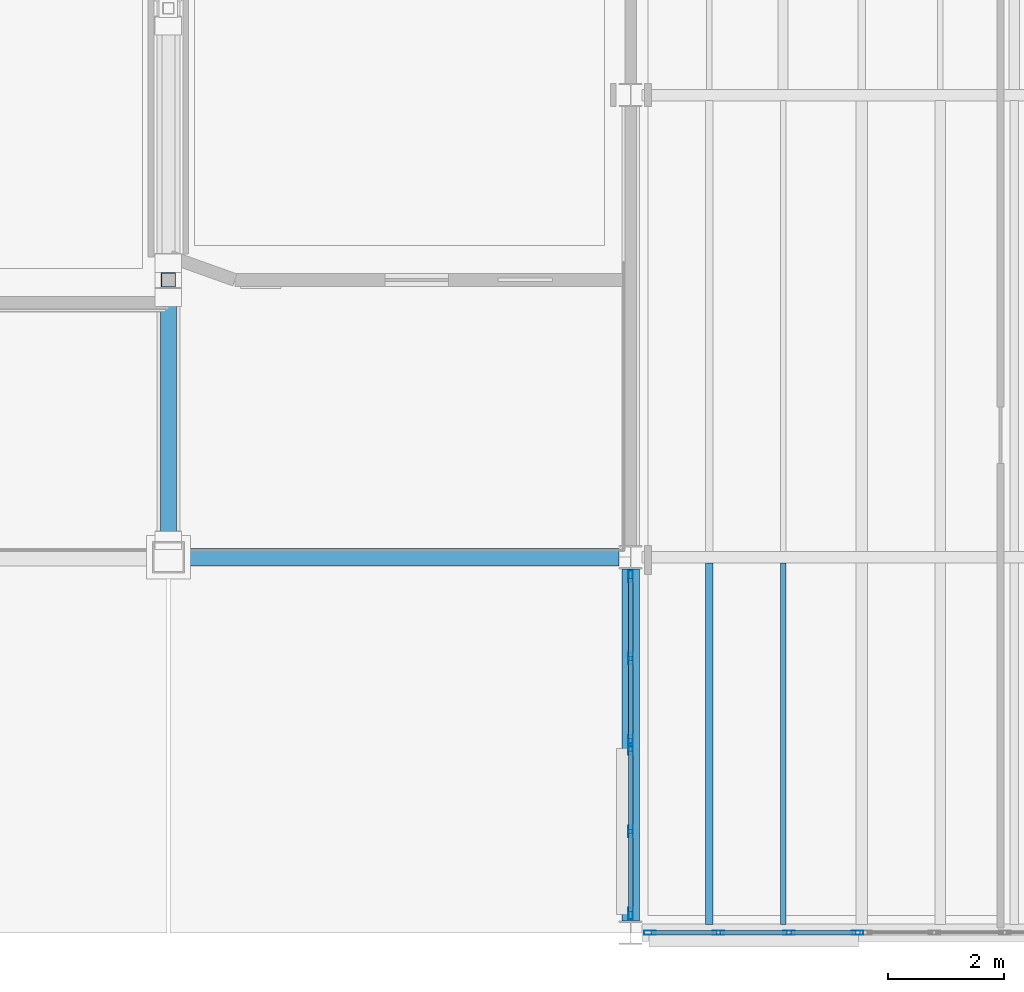
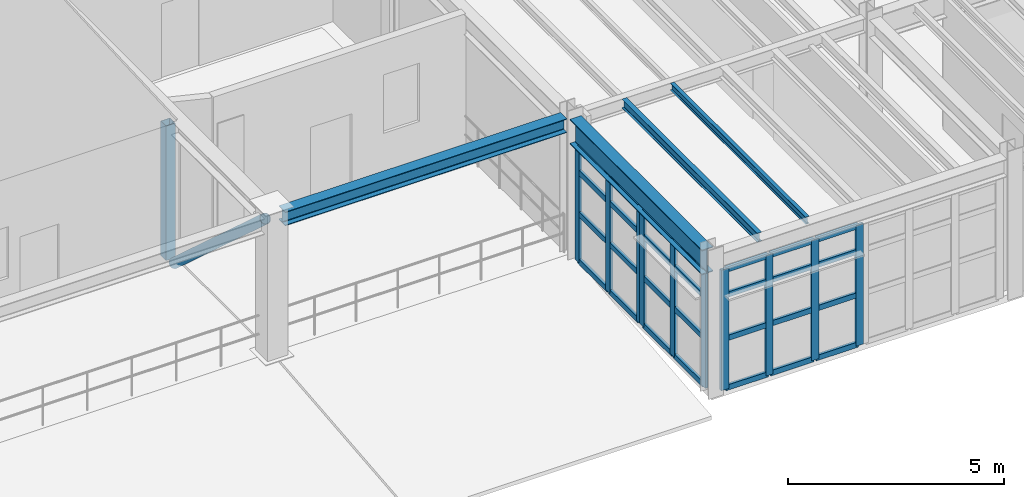
# One storey, part 33 of 78: 40 members, 4 beams, 3 elements without a shape of their own.
"""IFC4 building model written with IfcOpenShell, lengths in metres."""

import ifcopenshell
import ifcopenshell.guid

model = None  # the IFC model being written
_history = None  # IfcOwnerHistory: only IFC2X3 demands one
_inside = {}  # id of a spatial element -> (the spatial element, [elements in it])
_under = {}  # id of a project, library or spatial element -> (it, [spatial elements below it])
_declared = {}  # id of a project -> (the project, [libraries it declares])
_typed = {}  # id of a type object -> (the type object, [elements of that type])
_made_of = {}  # id of a material, layer set ... -> (it, [elements and type objects made of it])


def new_model(schema):
    """Start an empty IFC model of exactly this schema.

    Asked for "IFC4X3", IfcOpenShell would pick the latest addendum, in which some entities
    have other attributes; the version numbers below select the first issue.
    IFC2X3 requires an IfcOwnerHistory on every rooted entity: one is made here for all.
    """
    global model, _history
    if schema == "IFC4X3":
        model = ifcopenshell.file(schema_version=(4, 3, 0, 0))
    else:
        model = ifcopenshell.file(schema=schema)
    _inside.clear()
    _under.clear()
    _declared.clear()
    _typed.clear()
    _made_of.clear()
    _history = None
    if model.schema == "IFC2X3":
        org = make("IfcOrganization", Name="unknown")
        user = make(
            "IfcPersonAndOrganization",
            ThePerson=make("IfcPerson", FamilyName="unknown"),
            TheOrganization=org,
        )
        app = make(
            "IfcApplication",
            ApplicationDeveloper=org,
            Version="unknown",
            ApplicationFullName="unknown",
            ApplicationIdentifier="unknown",
        )
        _history = make(
            "IfcOwnerHistory",
            OwningUser=user,
            OwningApplication=app,
            ChangeAction="ADDED",
            CreationDate=0,
        )
    return model


def make(cls, **values):
    """One entity of the class cls with the attributes given. An attribute that is None is left unset."""
    return model.create_entity(
        cls, **{name: value for name, value in values.items() if value is not None}
    )


def rooted(cls, **values):
    """An entity with a GlobalId (a new one), such as an element, a storey or a relation."""
    return make(cls, GlobalId=ifcopenshell.guid.new(), OwnerHistory=_history, **values)


def si_unit(unit_type, name, prefix=None):
    """IfcSIUnit, for example si_unit("LENGTHUNIT", "METRE", prefix="MILLI")."""
    return make("IfcSIUnit", UnitType=unit_type, Prefix=prefix, Name=name)


def assignment(units):
    """IfcUnitAssignment: the units of a project."""
    return None if units is None else make("IfcUnitAssignment", Units=units)


def point(xyz):
    """IfcCartesianPoint."""
    return None if xyz is None else make("IfcCartesianPoint", Coordinates=xyz)


def direction(xyz):
    """IfcDirection."""
    return None if xyz is None else make("IfcDirection", DirectionRatios=xyz)


def frame(location, z_axis=None, x_axis=None):
    """IfcAxis2Placement3D, a coordinate frame: its origin and axes. An axis left out is left unset."""
    return make(
        "IfcAxis2Placement3D",
        Location=point(location),
        Axis=direction(z_axis),
        RefDirection=direction(x_axis),
    )


def frame_2d(location, x_axis=None):
    """IfcAxis2Placement2D, a coordinate frame in the plane: its origin and x axis."""
    return make(
        "IfcAxis2Placement2D", Location=point(location), RefDirection=direction(x_axis)
    )


def origin():
    """The frame at (0, 0, 0) with its axes left unset."""
    return frame((0.0, 0.0, 0.0))


def origin_2d():
    """The frame at (0, 0) in the plane with its x axis left unset."""
    return frame_2d((0.0, 0.0))


def place(relative_to, where):
    """IfcLocalPlacement: puts the frame where relative to a parent placement (None: the world)."""
    return make(
        "IfcLocalPlacement", PlacementRelTo=relative_to, RelativePlacement=where
    )


def context(
    kind, dimensions, precision=None, world=None, true_north=None, identifier=None
):
    """IfcGeometricRepresentationContext, for example the 3D "Model" context."""
    return make(
        "IfcGeometricRepresentationContext",
        ContextIdentifier=identifier,
        ContextType=kind,
        CoordinateSpaceDimension=dimensions,
        Precision=precision,
        WorldCoordinateSystem=world,
        TrueNorth=true_north,
    )


def subcontext(parent, identifier, kind, view, scale=None):
    """IfcGeometricRepresentationSubContext, for example "Body" below "Model"."""
    return make(
        "IfcGeometricRepresentationSubContext",
        ContextIdentifier=identifier,
        ContextType=kind,
        ParentContext=parent,
        TargetScale=scale,
        TargetView=view,
    )


def project(units=None, contexts=None):
    """IfcProject with its units and contexts."""
    return rooted(
        "IfcProject",
        Name="project",
        RepresentationContexts=contexts,
        UnitsInContext=assignment(units),
    )


def spatial(cls, under=None, at=None, **own):
    """A site, building, storey or space (cls), placed at a placement, below another one or the project."""
    s = rooted(cls, ObjectPlacement=at, **own)
    if under is not None:
        _under.setdefault(under.id(), (under, []))[1].append(s)
    return s


def profile(cls, at=None, kind="AREA", **sizes):
    """A parametric profile (cls). Its sizes go by their IFC names, for example OverallWidth=200.0."""
    return make(cls, ProfileType=kind, Position=at, **sizes)


def hollow_rectangle(**sizes):
    """IfcRectangleHollowProfileDef."""
    return profile("IfcRectangleHollowProfileDef", **sizes)


def hollow_circle(**sizes):
    """IfcCircleHollowProfileDef."""
    return profile("IfcCircleHollowProfileDef", **sizes)


def i_section(**sizes):
    """IfcIShapeProfileDef."""
    return profile("IfcIShapeProfileDef", **sizes)


def extrude(swept, where, along, depth):
    """IfcExtrudedAreaSolid: the profile swept, set in the frame where, extruded along a direction by depth."""
    return make(
        "IfcExtrudedAreaSolid",
        SweptArea=swept,
        Position=where,
        ExtrudedDirection=direction(along),
        Depth=depth,
    )


def shape(context_of_items, identifier, shape_type, items):
    """IfcShapeRepresentation: the items that make up one representation, for example the "Body"."""
    return make(
        "IfcShapeRepresentation",
        ContextOfItems=context_of_items,
        RepresentationIdentifier=identifier,
        RepresentationType=shape_type,
        Items=items,
    )


def material(Name=None, Category=None):
    """IfcMaterial."""
    return make("IfcMaterial", Name=Name, Category=Category)


def material_profile(
    of_material, cross_section, Name=None, Category=None, Priority=None
):
    """IfcMaterialProfile: a cross section and its material."""
    return make(
        "IfcMaterialProfile",
        Name=Name,
        Material=of_material,
        Profile=cross_section,
        Priority=Priority,
        Category=Category,
    )


def profile_set(profiles, Name=None, composite=None):
    """IfcMaterialProfileSet."""
    return make(
        "IfcMaterialProfileSet",
        Name=Name,
        MaterialProfiles=profiles,
        CompositeProfile=composite,
    )


def made_of(thing, what):
    """Note that an element or type object is made of a material, layer set ...; save() writes the relation."""
    if what is not None:
        _made_of.setdefault(what.id(), (what, []))[1].append(thing)
    return thing


def type_object(cls, material=None, **own):
    """A type object (cls), such as IfcWallType, which elements share."""
    return made_of(rooted(cls, **own), material)


def element(
    cls,
    number,
    at=None,
    inside=None,
    cuts=None,
    type_object=None,
    material=None,
    context=None,
    identifier="Body",
    shape_type=None,
    held_by="IfcProductDefinitionShape",
    body=None,
    shapes=None,
    **own,
):
    """One element of the class cls, such as IfcWall. Its Tag is "e" and its number.

    at: its placement. inside: the storey or other place that contains it. cuts: it is an
    opening in that element (IfcRelVoidsElement). A single representation is given by context,
    identifier, shape_type and body (its items); several are given by shapes. held_by: the class
    of the entity that holds the representations. save() writes the other relations.
    """
    e = rooted(cls, Tag="e%d" % number, ObjectPlacement=at, **own)
    if body is not None:
        shapes = [shape(context, identifier, shape_type, body)]
    if shapes is not None:
        e.Representation = make(held_by, Representations=shapes)
    if inside is not None:
        _inside.setdefault(inside.id(), (inside, []))[1].append(e)
    if cuts is not None:
        rooted(
            "IfcRelVoidsElement", RelatingBuildingElement=cuts, RelatedOpeningElement=e
        )
    if type_object is not None:
        _typed.setdefault(type_object.id(), (type_object, []))[1].append(e)
    return made_of(e, material)


def aggregate(whole, parts):
    """IfcRelAggregates: a whole, such as a stair, and the parts it consists of."""
    return rooted("IfcRelAggregates", RelatingObject=whole, RelatedObjects=parts)


def save(model, path):
    """Write the relations noted so far, then the file.

    IfcRelAggregates (storeys below a building ...), IfcRelContainedInSpatialStructure (elements
    in a storey), IfcRelDefinesByType, IfcRelAssociatesMaterial and IfcRelDeclares: one each for
    every whole, place, type object, material and project.
    """
    for whole, parts in _under.values():
        aggregate(whole, parts)
    for where, things in _inside.values():
        rooted(
            "IfcRelContainedInSpatialStructure",
            RelatedElements=things,
            RelatingStructure=where,
        )
    for kind, things in _typed.values():
        rooted("IfcRelDefinesByType", RelatedObjects=things, RelatingType=kind)
    for what, things in _made_of.values():
        rooted("IfcRelAssociatesMaterial", RelatedObjects=things, RelatingMaterial=what)
    for by, libraries in _declared.values():
        rooted("IfcRelDeclares", RelatingContext=by, RelatedDefinitions=libraries)
    model.write(path)


model = new_model("IFC4")

# Units and contexts
model_context = context("Model", 3, precision=1e-05, world=origin(), true_north=direction((0.0, 1.0)))
body_context = subcontext(model_context, "Body", "Model", "MODEL_VIEW")
ifc_project = project(units=[si_unit("LENGTHUNIT", "METRE"), si_unit("AREAUNIT", "SQUARE_METRE"), si_unit("VOLUMEUNIT", "CUBIC_METRE"), si_unit("PLANEANGLEUNIT", "RADIAN"), si_unit("MASSUNIT", "GRAM", prefix="KILO"), si_unit("THERMODYNAMICTEMPERATUREUNIT", "KELVIN"), si_unit("POWERUNIT", "WATT")], contexts=[model_context])

# Site, building, storey
site_placement = place(None, origin())
site = spatial("IfcSite", under=ifc_project, at=site_placement, CompositionType="ELEMENT")
building_placement = place(site_placement, origin())
building = spatial("IfcBuilding", under=site, at=building_placement, Name="Zhenchuan Central Fire Station", CompositionType="ELEMENT")
storey_placement = place(building_placement, frame((0.0, 0.0, 5.85009765625)))
storey = spatial("IfcBuildingStorey", under=building, at=storey_placement, Name="L02", CompositionType="ELEMENT", Elevation=5.85009765625)

# Beams
ifc_material_1 = material(Name="Steel Q355B", Category="steel")
ifc_material_profile_1 = material_profile(ifc_material_1, i_section(OverallWidth=0.300048828125, OverallDepth=0.389892578125, WebThickness=0.010009765625, FlangeThickness=0.01611328125, FilletRadius=0.02001953125, at=origin_2d()), Name="HM 390x300")
ifc_profile_set_1 = profile_set([ifc_material_profile_1], Name="Steel Q355B")
beam_type_1 = type_object("IfcBeamType", Name="BM-HM390-INT", PredefinedType="BEAM", material=ifc_profile_set_1)
beam_1_placement = place(storey_placement, frame((132.27490234375, 6.5, 3.764892578125), z_axis=(1.0, 0.0, 0.0), x_axis=(0.0, 1.0, 0.0)))
element("IfcBeam", 1, at=beam_1_placement, inside=storey, type_object=beam_type_1, Name="L03 Girder EW 0204", PredefinedType="BEAM", context=body_context, shape_type="SweptSolid", body=[
    extrude(i_section(OverallWidth=0.300048828125, OverallDepth=0.389892578125, WebThickness=0.010009765625, FlangeThickness=0.01611328125, FilletRadius=0.02001953125, at=origin_2d()), origin(), (0.0, 0.0, 1.0), 7.525146484375),
])
ifc_material_profile_2 = material_profile(ifc_material_1, i_section(OverallWidth=0.300048828125, OverallDepth=0.699951171875, WebThickness=0.012939453125, FlangeThickness=0.02392578125, FilletRadius=0.02392578125, at=origin_2d()), Name="HN 700x300")
ifc_profile_set_2 = profile_set([ifc_material_profile_2], Name="Steel Q355B")
beam_type_2 = type_object("IfcBeamType", Name="BM-HN700", PredefinedType="BEAM", material=ifc_profile_set_2)
beam_2_placement = place(storey_placement, frame((140.0, 0.199951171875, 3.60986328125), z_axis=(0.0, 1.0, 0.0), x_axis=(-1.0, 0.0, 0.0)))
element("IfcBeam", 2, at=beam_2_placement, inside=storey, type_object=beam_type_2, Name="L03 Girder NS 0318", PredefinedType="BEAM", context=body_context, shape_type="SweptSolid", body=[
    extrude(i_section(OverallWidth=0.300048828125, OverallDepth=0.699951171875, WebThickness=0.012939453125, FlangeThickness=0.02392578125, FilletRadius=0.02392578125, at=origin_2d()), origin(), (0.0, 0.0, 1.0), 6.10009765625),
])

# Curtain wall, members
ifc_material_2 = material(Name="Anodised aluminium and low-E glazing", Category="aluminium")
curtain_wall_type_1 = type_object("IfcCurtainWallType", Name="CW-MOD-03", PredefinedType="USERDEFINED", material=ifc_material_2)
curtain_wall_1_placement = place(storey_placement, origin())
curtain_wall_1 = element("IfcCurtainWall", 3, at=curtain_wall_1_placement, inside=storey, type_object=curtain_wall_type_1, Name="L02 Unitised Curtain Wall 084", ObjectType="UNITISED GLAZING", PredefinedType="USERDEFINED")
ifc_material_3 = material(Name="Anodised aluminium EN AW-6063", Category="aluminium")
ifc_material_profile_3 = material_profile(ifc_material_3, hollow_rectangle(XDim=0.074951171875, YDim=0.199951171875, WallThickness=0.0048828125, at=origin_2d()), Name="ALU-M 200x75")
ifc_profile_set_3 = profile_set([ifc_material_profile_3], Name="Anodised aluminium EN AW-6063")
member_type_1 = type_object("IfcMemberType", Name="CW-MUL160", PredefinedType="MULLION", material=ifc_profile_set_3)
member_1_placement = place(storey_placement, frame((140.33251953125, 0.0, -0.004150390625), z_axis=(0.0, 0.0, 1.0), x_axis=(0.0, 1.0, 0.0)))
member_1 = element("IfcMember", 4, at=member_1_placement, type_object=member_type_1, Name="CW-03 mullion 1", PredefinedType="MULLION", context=body_context, shape_type="SweptSolid", body=[
    extrude(hollow_rectangle(XDim=0.074951171875, YDim=0.199951171875, WallThickness=0.0048828125, at=origin_2d()), origin(), (0.0, 0.0, 1.0), 3.404052734375),
])
member_2_placement = place(storey_placement, frame((141.520751953125, 0.0, -0.004150390625), z_axis=(0.0, 0.0, 1.0), x_axis=(0.0, 1.0, 0.0)))
member_2 = element("IfcMember", 5, at=member_2_placement, type_object=member_type_1, Name="CW-03 mullion 2", PredefinedType="MULLION", context=body_context, shape_type="SweptSolid", body=[
    extrude(hollow_rectangle(XDim=0.074951171875, YDim=0.199951171875, WallThickness=0.0048828125, at=origin_2d()), origin(), (0.0, 0.0, 1.0), 3.404052734375),
])
member_3_placement = place(storey_placement, frame((142.741455078125, 0.0, -0.004150390625), z_axis=(0.0, 0.0, 1.0), x_axis=(0.0, 1.0, 0.0)))
member_3 = element("IfcMember", 6, at=member_3_placement, type_object=member_type_1, Name="CW-03 mullion 3", PredefinedType="MULLION", context=body_context, shape_type="SweptSolid", body=[
    extrude(hollow_rectangle(XDim=0.074951171875, YDim=0.199951171875, WallThickness=0.0048828125, at=origin_2d()), origin(), (0.0, 0.0, 1.0), 3.404052734375),
])
member_4_placement = place(storey_placement, frame((143.929443359375, 0.0, -0.004150390625), z_axis=(0.0, 0.0, 1.0), x_axis=(0.0, 1.0, 0.0)))
member_4 = element("IfcMember", 7, at=member_4_placement, type_object=member_type_1, Name="CW-03 mullion 4", PredefinedType="MULLION", context=body_context, shape_type="SweptSolid", body=[
    extrude(hollow_rectangle(XDim=0.074951171875, YDim=0.199951171875, WallThickness=0.0048828125, at=origin_2d()), origin(), (0.0, 0.0, 1.0), 3.404052734375),
])

curtain_wall_type_2 = type_object("IfcCurtainWallType", Name="CW-MOD-10", PredefinedType="USERDEFINED", material=ifc_material_2)
curtain_wall_2_placement = place(storey_placement, origin())
curtain_wall_2 = element("IfcCurtainWall", 8, at=curtain_wall_2_placement, inside=storey, type_object=curtain_wall_type_2, Name="L02 Unitised Curtain Wall 096", ObjectType="UNITISED GLAZING", PredefinedType="USERDEFINED")
member_5_placement = place(storey_placement, frame((140.0, 0.33251953125, -0.004150390625), z_axis=(0.0, 0.0, 1.0), x_axis=(-1.0, 0.0, 0.0)))
member_5 = element("IfcMember", 9, at=member_5_placement, type_object=member_type_1, Name="CW-10 mullion 1", PredefinedType="MULLION", context=body_context, shape_type="SweptSolid", body=[
    extrude(hollow_rectangle(XDim=0.074951171875, YDim=0.199951171875, WallThickness=0.0048828125, at=origin_2d()), origin(), (0.0, 0.0, 1.0), 3.258056640625),
])
member_6_placement = place(storey_placement, frame((140.0, 1.756103515625, -0.004150390625), z_axis=(0.0, 0.0, 1.0), x_axis=(-1.0, 0.0, 0.0)))
member_6 = element("IfcMember", 10, at=member_6_placement, type_object=member_type_1, Name="CW-10 mullion 2", PredefinedType="MULLION", context=body_context, shape_type="SweptSolid", body=[
    extrude(hollow_rectangle(XDim=0.074951171875, YDim=0.199951171875, WallThickness=0.0048828125, at=origin_2d()), origin(), (0.0, 0.0, 1.0), 3.258056640625),
])
member_7_placement = place(storey_placement, frame((140.0, 3.179443359375, -0.004150390625), z_axis=(0.0, 0.0, 1.0), x_axis=(-1.0, 0.0, 0.0)))
member_7 = element("IfcMember", 11, at=member_7_placement, type_object=member_type_1, Name="CW-10 mullion 3", PredefinedType="MULLION", context=body_context, shape_type="SweptSolid", body=[
    extrude(hollow_rectangle(XDim=0.074951171875, YDim=0.199951171875, WallThickness=0.0048828125, at=origin_2d()), origin(), (0.0, 0.0, 1.0), 3.258056640625),
])

curtain_wall_type_3 = type_object("IfcCurtainWallType", Name="CW-MOD-11", PredefinedType="USERDEFINED", material=ifc_material_2)
curtain_wall_3_placement = place(storey_placement, origin())
curtain_wall_3 = element("IfcCurtainWall", 12, at=curtain_wall_3_placement, inside=storey, type_object=curtain_wall_type_3, Name="L02 Unitised Curtain Wall 097", ObjectType="UNITISED GLAZING", PredefinedType="USERDEFINED")
member_8_placement = place(storey_placement, frame((140.0, 3.320556640625, -0.004150390625), z_axis=(0.0, 0.0, 1.0), x_axis=(-1.0, 0.0, 0.0)))
member_8 = element("IfcMember", 13, at=member_8_placement, type_object=member_type_1, Name="CW-11 mullion 1", PredefinedType="MULLION", context=body_context, shape_type="SweptSolid", body=[
    extrude(hollow_rectangle(XDim=0.074951171875, YDim=0.199951171875, WallThickness=0.0048828125, at=origin_2d()), origin(), (0.0, 0.0, 1.0), 3.258056640625),
])
member_9_placement = place(storey_placement, frame((140.0, 4.743896484375, -0.004150390625), z_axis=(0.0, 0.0, 1.0), x_axis=(-1.0, 0.0, 0.0)))
member_9 = element("IfcMember", 14, at=member_9_placement, type_object=member_type_1, Name="CW-11 mullion 2", PredefinedType="MULLION", context=body_context, shape_type="SweptSolid", body=[
    extrude(hollow_rectangle(XDim=0.074951171875, YDim=0.199951171875, WallThickness=0.0048828125, at=origin_2d()), origin(), (0.0, 0.0, 1.0), 3.258056640625),
])
member_10_placement = place(storey_placement, frame((140.0, 6.16748046875, -0.004150390625), z_axis=(0.0, 0.0, 1.0), x_axis=(-1.0, 0.0, 0.0)))
member_10 = element("IfcMember", 15, at=member_10_placement, type_object=member_type_1, Name="CW-11 mullion 3", PredefinedType="MULLION", context=body_context, shape_type="SweptSolid", body=[
    extrude(hollow_rectangle(XDim=0.074951171875, YDim=0.199951171875, WallThickness=0.0048828125, at=origin_2d()), origin(), (0.0, 0.0, 1.0), 3.258056640625),
])

# Member
ifc_material_profile_4 = material_profile(ifc_material_3, hollow_rectangle(XDim=0.074951171875, YDim=0.14990234375, WallThickness=0.0048828125, at=origin_2d()), Name="ALU-T 150x75")
ifc_profile_set_4 = profile_set([ifc_material_profile_4], Name="Anodised aluminium EN AW-6063")
member_type_2 = type_object("IfcMemberType", Name="CW-TRN130", PredefinedType="NOTDEFINED", material=ifc_profile_set_4)
member_11_placement = place(storey_placement, frame((140.364990234375, 0.0, 0.0283203125), z_axis=(1.0, 0.0, 0.0), x_axis=(0.0, 1.0, 0.0)))
member_11 = element("IfcMember", 16, at=member_11_placement, type_object=member_type_2, Name="CW-03 transom 1.1", ObjectType="TRANSOM", PredefinedType="USERDEFINED", context=body_context, shape_type="SweptSolid", body=[
    extrude(hollow_rectangle(XDim=0.074951171875, YDim=0.14990234375, WallThickness=0.0048828125, at=origin_2d()), origin(), (0.0, 0.0, 1.0), 1.123291015625),
])

member_12_placement = place(storey_placement, frame((140.364990234375, 0.0, 1.427978515625), z_axis=(1.0, 0.0, 0.0), x_axis=(0.0, 1.0, 0.0)))
member_12 = element("IfcMember", 17, at=member_12_placement, type_object=member_type_2, Name="CW-03 transom 1.2", ObjectType="TRANSOM", PredefinedType="USERDEFINED", context=body_context, shape_type="SweptSolid", body=[
    extrude(hollow_rectangle(XDim=0.074951171875, YDim=0.14990234375, WallThickness=0.0048828125, at=origin_2d()), origin(), (0.0, 0.0, 1.0), 1.123291015625),
])

member_13_placement = place(storey_placement, frame((140.364990234375, 0.0, 2.65185546875), z_axis=(1.0, 0.0, 0.0), x_axis=(0.0, 1.0, 0.0)))
member_13 = element("IfcMember", 18, at=member_13_placement, type_object=member_type_2, Name="CW-03 transom 1.3", ObjectType="TRANSOM", PredefinedType="USERDEFINED", context=body_context, shape_type="SweptSolid", body=[
    extrude(hollow_rectangle(XDim=0.074951171875, YDim=0.14990234375, WallThickness=0.0048828125, at=origin_2d()), origin(), (0.0, 0.0, 1.0), 1.123291015625),
])

member_14_placement = place(storey_placement, frame((140.364990234375, 0.0, 3.367431640625), z_axis=(1.0, 0.0, 0.0), x_axis=(0.0, 1.0, 0.0)))
member_14 = element("IfcMember", 19, at=member_14_placement, type_object=member_type_2, Name="CW-03 transom 1.4", ObjectType="TRANSOM", PredefinedType="USERDEFINED", context=body_context, shape_type="SweptSolid", body=[
    extrude(hollow_rectangle(XDim=0.074951171875, YDim=0.14990234375, WallThickness=0.0048828125, at=origin_2d()), origin(), (0.0, 0.0, 1.0), 1.123291015625),
])

member_15_placement = place(storey_placement, frame((141.55322265625, 0.0, 0.0283203125), z_axis=(1.0, 0.0, 0.0), x_axis=(0.0, 1.0, 0.0)))
member_15 = element("IfcMember", 20, at=member_15_placement, type_object=member_type_2, Name="CW-03 transom 2.1", ObjectType="TRANSOM", PredefinedType="USERDEFINED", context=body_context, shape_type="SweptSolid", body=[
    extrude(hollow_rectangle(XDim=0.074951171875, YDim=0.14990234375, WallThickness=0.0048828125, at=origin_2d()), origin(), (0.0, 0.0, 1.0), 1.155517578125),
])

member_16_placement = place(storey_placement, frame((141.55322265625, 0.0, 1.427978515625), z_axis=(1.0, 0.0, 0.0), x_axis=(0.0, 1.0, 0.0)))
member_16 = element("IfcMember", 21, at=member_16_placement, type_object=member_type_2, Name="CW-03 transom 2.2", ObjectType="TRANSOM", PredefinedType="USERDEFINED", context=body_context, shape_type="SweptSolid", body=[
    extrude(hollow_rectangle(XDim=0.074951171875, YDim=0.14990234375, WallThickness=0.0048828125, at=origin_2d()), origin(), (0.0, 0.0, 1.0), 1.155517578125),
])

member_17_placement = place(storey_placement, frame((141.55322265625, 0.0, 2.65185546875), z_axis=(1.0, 0.0, 0.0), x_axis=(0.0, 1.0, 0.0)))
member_17 = element("IfcMember", 22, at=member_17_placement, type_object=member_type_2, Name="CW-03 transom 2.3", ObjectType="TRANSOM", PredefinedType="USERDEFINED", context=body_context, shape_type="SweptSolid", body=[
    extrude(hollow_rectangle(XDim=0.074951171875, YDim=0.14990234375, WallThickness=0.0048828125, at=origin_2d()), origin(), (0.0, 0.0, 1.0), 1.155517578125),
])

member_18_placement = place(storey_placement, frame((141.55322265625, 0.0, 3.367431640625), z_axis=(1.0, 0.0, 0.0), x_axis=(0.0, 1.0, 0.0)))
member_18 = element("IfcMember", 23, at=member_18_placement, type_object=member_type_2, Name="CW-03 transom 2.4", ObjectType="TRANSOM", PredefinedType="USERDEFINED", context=body_context, shape_type="SweptSolid", body=[
    extrude(hollow_rectangle(XDim=0.074951171875, YDim=0.14990234375, WallThickness=0.0048828125, at=origin_2d()), origin(), (0.0, 0.0, 1.0), 1.155517578125),
])

member_19_placement = place(storey_placement, frame((142.77392578125, 0.0, 0.0283203125), z_axis=(1.0, 0.0, 0.0), x_axis=(0.0, 1.0, 0.0)))
member_19 = element("IfcMember", 24, at=member_19_placement, type_object=member_type_2, Name="CW-03 transom 3.1", ObjectType="TRANSOM", PredefinedType="USERDEFINED", context=body_context, shape_type="SweptSolid", body=[
    extrude(hollow_rectangle(XDim=0.074951171875, YDim=0.14990234375, WallThickness=0.0048828125, at=origin_2d()), origin(), (0.0, 0.0, 1.0), 1.123046875),
])

member_20_placement = place(storey_placement, frame((142.77392578125, 0.0, 1.427978515625), z_axis=(1.0, 0.0, 0.0), x_axis=(0.0, 1.0, 0.0)))
member_20 = element("IfcMember", 25, at=member_20_placement, type_object=member_type_2, Name="CW-03 transom 3.2", ObjectType="TRANSOM", PredefinedType="USERDEFINED", context=body_context, shape_type="SweptSolid", body=[
    extrude(hollow_rectangle(XDim=0.074951171875, YDim=0.14990234375, WallThickness=0.0048828125, at=origin_2d()), origin(), (0.0, 0.0, 1.0), 1.123046875),
])

member_21_placement = place(storey_placement, frame((142.77392578125, 0.0, 2.65185546875), z_axis=(1.0, 0.0, 0.0), x_axis=(0.0, 1.0, 0.0)))
member_21 = element("IfcMember", 26, at=member_21_placement, type_object=member_type_2, Name="CW-03 transom 3.3", ObjectType="TRANSOM", PredefinedType="USERDEFINED", context=body_context, shape_type="SweptSolid", body=[
    extrude(hollow_rectangle(XDim=0.074951171875, YDim=0.14990234375, WallThickness=0.0048828125, at=origin_2d()), origin(), (0.0, 0.0, 1.0), 1.123046875),
])

member_22_placement = place(storey_placement, frame((142.77392578125, 0.0, 3.367431640625), z_axis=(1.0, 0.0, 0.0), x_axis=(0.0, 1.0, 0.0)))
member_22 = element("IfcMember", 27, at=member_22_placement, type_object=member_type_2, Name="CW-03 transom 3.4", ObjectType="TRANSOM", PredefinedType="USERDEFINED", context=body_context, shape_type="SweptSolid", body=[
    extrude(hollow_rectangle(XDim=0.074951171875, YDim=0.14990234375, WallThickness=0.0048828125, at=origin_2d()), origin(), (0.0, 0.0, 1.0), 1.123046875),
])

aggregate(curtain_wall_1, [member_1, member_2, member_3, member_4, member_11, member_12, member_13, member_14, member_15, member_16, member_17, member_18, member_19, member_20, member_21, member_22])

member_23_placement = place(storey_placement, frame((140.0, 0.364990234375, 0.0283203125), z_axis=(0.0, 1.0, 0.0), x_axis=(-1.0, 0.0, 0.0)))
member_23 = element("IfcMember", 28, at=member_23_placement, type_object=member_type_2, Name="CW-10 transom 1.1", ObjectType="TRANSOM", PredefinedType="USERDEFINED", context=body_context, shape_type="SweptSolid", body=[
    extrude(hollow_rectangle(XDim=0.074951171875, YDim=0.14990234375, WallThickness=0.0048828125, at=origin_2d()), origin(), (0.0, 0.0, 1.0), 1.3583984375),
])

member_24_placement = place(storey_placement, frame((140.0, 0.364990234375, 1.36669921875), z_axis=(0.0, 1.0, 0.0), x_axis=(-1.0, 0.0, 0.0)))
member_24 = element("IfcMember", 29, at=member_24_placement, type_object=member_type_2, Name="CW-10 transom 1.2", ObjectType="TRANSOM", PredefinedType="USERDEFINED", context=body_context, shape_type="SweptSolid", body=[
    extrude(hollow_rectangle(XDim=0.074951171875, YDim=0.14990234375, WallThickness=0.0048828125, at=origin_2d()), origin(), (0.0, 0.0, 1.0), 1.3583984375),
])

member_25_placement = place(storey_placement, frame((140.0, 0.364990234375, 2.5380859375), z_axis=(0.0, 1.0, 0.0), x_axis=(-1.0, 0.0, 0.0)))
member_25 = element("IfcMember", 30, at=member_25_placement, type_object=member_type_2, Name="CW-10 transom 1.3", ObjectType="TRANSOM", PredefinedType="USERDEFINED", context=body_context, shape_type="SweptSolid", body=[
    extrude(hollow_rectangle(XDim=0.074951171875, YDim=0.14990234375, WallThickness=0.0048828125, at=origin_2d()), origin(), (0.0, 0.0, 1.0), 1.3583984375),
])

member_26_placement = place(storey_placement, frame((140.0, 0.364990234375, 3.221435546875), z_axis=(0.0, 1.0, 0.0), x_axis=(-1.0, 0.0, 0.0)))
member_26 = element("IfcMember", 31, at=member_26_placement, type_object=member_type_2, Name="CW-10 transom 1.4", ObjectType="TRANSOM", PredefinedType="USERDEFINED", context=body_context, shape_type="SweptSolid", body=[
    extrude(hollow_rectangle(XDim=0.074951171875, YDim=0.14990234375, WallThickness=0.0048828125, at=origin_2d()), origin(), (0.0, 0.0, 1.0), 1.3583984375),
])

member_27_placement = place(storey_placement, frame((140.0, 1.78857421875, 0.0283203125), z_axis=(0.0, 1.0, 0.0), x_axis=(-1.0, 0.0, 0.0)))
member_27 = element("IfcMember", 32, at=member_27_placement, type_object=member_type_2, Name="CW-10 transom 2.1", ObjectType="TRANSOM", PredefinedType="USERDEFINED", context=body_context, shape_type="SweptSolid", body=[
    extrude(hollow_rectangle(XDim=0.074951171875, YDim=0.14990234375, WallThickness=0.0048828125, at=origin_2d()), origin(), (0.0, 0.0, 1.0), 1.3583984375),
])

member_28_placement = place(storey_placement, frame((140.0, 1.78857421875, 1.36669921875), z_axis=(0.0, 1.0, 0.0), x_axis=(-1.0, 0.0, 0.0)))
member_28 = element("IfcMember", 33, at=member_28_placement, type_object=member_type_2, Name="CW-10 transom 2.2", ObjectType="TRANSOM", PredefinedType="USERDEFINED", context=body_context, shape_type="SweptSolid", body=[
    extrude(hollow_rectangle(XDim=0.074951171875, YDim=0.14990234375, WallThickness=0.0048828125, at=origin_2d()), origin(), (0.0, 0.0, 1.0), 1.3583984375),
])

member_29_placement = place(storey_placement, frame((140.0, 1.78857421875, 2.5380859375), z_axis=(0.0, 1.0, 0.0), x_axis=(-1.0, 0.0, 0.0)))
member_29 = element("IfcMember", 34, at=member_29_placement, type_object=member_type_2, Name="CW-10 transom 2.3", ObjectType="TRANSOM", PredefinedType="USERDEFINED", context=body_context, shape_type="SweptSolid", body=[
    extrude(hollow_rectangle(XDim=0.074951171875, YDim=0.14990234375, WallThickness=0.0048828125, at=origin_2d()), origin(), (0.0, 0.0, 1.0), 1.3583984375),
])

member_30_placement = place(storey_placement, frame((140.0, 1.78857421875, 3.221435546875), z_axis=(0.0, 1.0, 0.0), x_axis=(-1.0, 0.0, 0.0)))
member_30 = element("IfcMember", 35, at=member_30_placement, type_object=member_type_2, Name="CW-10 transom 2.4", ObjectType="TRANSOM", PredefinedType="USERDEFINED", context=body_context, shape_type="SweptSolid", body=[
    extrude(hollow_rectangle(XDim=0.074951171875, YDim=0.14990234375, WallThickness=0.0048828125, at=origin_2d()), origin(), (0.0, 0.0, 1.0), 1.3583984375),
])

aggregate(curtain_wall_2, [member_5, member_6, member_7, member_23, member_24, member_25, member_26, member_27, member_28, member_29, member_30])

member_31_placement = place(storey_placement, frame((140.0, 3.35302734375, 0.0283203125), z_axis=(0.0, 1.0, 0.0), x_axis=(-1.0, 0.0, 0.0)))
member_31 = element("IfcMember", 36, at=member_31_placement, type_object=member_type_2, Name="CW-11 transom 1.1", ObjectType="TRANSOM", PredefinedType="USERDEFINED", context=body_context, shape_type="SweptSolid", body=[
    extrude(hollow_rectangle(XDim=0.074951171875, YDim=0.14990234375, WallThickness=0.0048828125, at=origin_2d()), origin(), (0.0, 0.0, 1.0), 1.3583984375),
])

member_32_placement = place(storey_placement, frame((140.0, 3.35302734375, 1.36669921875), z_axis=(0.0, 1.0, 0.0), x_axis=(-1.0, 0.0, 0.0)))
member_32 = element("IfcMember", 37, at=member_32_placement, type_object=member_type_2, Name="CW-11 transom 1.2", ObjectType="TRANSOM", PredefinedType="USERDEFINED", context=body_context, shape_type="SweptSolid", body=[
    extrude(hollow_rectangle(XDim=0.074951171875, YDim=0.14990234375, WallThickness=0.0048828125, at=origin_2d()), origin(), (0.0, 0.0, 1.0), 1.3583984375),
])

member_33_placement = place(storey_placement, frame((140.0, 3.35302734375, 2.5380859375), z_axis=(0.0, 1.0, 0.0), x_axis=(-1.0, 0.0, 0.0)))
member_33 = element("IfcMember", 38, at=member_33_placement, type_object=member_type_2, Name="CW-11 transom 1.3", ObjectType="TRANSOM", PredefinedType="USERDEFINED", context=body_context, shape_type="SweptSolid", body=[
    extrude(hollow_rectangle(XDim=0.074951171875, YDim=0.14990234375, WallThickness=0.0048828125, at=origin_2d()), origin(), (0.0, 0.0, 1.0), 1.3583984375),
])

member_34_placement = place(storey_placement, frame((140.0, 3.35302734375, 3.221435546875), z_axis=(0.0, 1.0, 0.0), x_axis=(-1.0, 0.0, 0.0)))
member_34 = element("IfcMember", 39, at=member_34_placement, type_object=member_type_2, Name="CW-11 transom 1.4", ObjectType="TRANSOM", PredefinedType="USERDEFINED", context=body_context, shape_type="SweptSolid", body=[
    extrude(hollow_rectangle(XDim=0.074951171875, YDim=0.14990234375, WallThickness=0.0048828125, at=origin_2d()), origin(), (0.0, 0.0, 1.0), 1.3583984375),
])

member_35_placement = place(storey_placement, frame((140.0, 4.776611328125, 0.0283203125), z_axis=(0.0, 1.0, 0.0), x_axis=(-1.0, 0.0, 0.0)))
member_35 = element("IfcMember", 40, at=member_35_placement, type_object=member_type_2, Name="CW-11 transom 2.1", ObjectType="TRANSOM", PredefinedType="USERDEFINED", context=body_context, shape_type="SweptSolid", body=[
    extrude(hollow_rectangle(XDim=0.074951171875, YDim=0.14990234375, WallThickness=0.0048828125, at=origin_2d()), origin(), (0.0, 0.0, 1.0), 1.3583984375),
])

member_36_placement = place(storey_placement, frame((140.0, 4.776611328125, 1.36669921875), z_axis=(0.0, 1.0, 0.0), x_axis=(-1.0, 0.0, 0.0)))
member_36 = element("IfcMember", 41, at=member_36_placement, type_object=member_type_2, Name="CW-11 transom 2.2", ObjectType="TRANSOM", PredefinedType="USERDEFINED", context=body_context, shape_type="SweptSolid", body=[
    extrude(hollow_rectangle(XDim=0.074951171875, YDim=0.14990234375, WallThickness=0.0048828125, at=origin_2d()), origin(), (0.0, 0.0, 1.0), 1.3583984375),
])

member_37_placement = place(storey_placement, frame((140.0, 4.776611328125, 2.5380859375), z_axis=(0.0, 1.0, 0.0), x_axis=(-1.0, 0.0, 0.0)))
member_37 = element("IfcMember", 42, at=member_37_placement, type_object=member_type_2, Name="CW-11 transom 2.3", ObjectType="TRANSOM", PredefinedType="USERDEFINED", context=body_context, shape_type="SweptSolid", body=[
    extrude(hollow_rectangle(XDim=0.074951171875, YDim=0.14990234375, WallThickness=0.0048828125, at=origin_2d()), origin(), (0.0, 0.0, 1.0), 1.3583984375),
])

member_38_placement = place(storey_placement, frame((140.0, 4.776611328125, 3.221435546875), z_axis=(0.0, 1.0, 0.0), x_axis=(-1.0, 0.0, 0.0)))
member_38 = element("IfcMember", 43, at=member_38_placement, type_object=member_type_2, Name="CW-11 transom 2.4", ObjectType="TRANSOM", PredefinedType="USERDEFINED", context=body_context, shape_type="SweptSolid", body=[
    extrude(hollow_rectangle(XDim=0.074951171875, YDim=0.14990234375, WallThickness=0.0048828125, at=origin_2d()), origin(), (0.0, 0.0, 1.0), 1.3583984375),
])

aggregate(curtain_wall_3, [member_8, member_9, member_10, member_31, member_32, member_33, member_34, member_35, member_36, member_37, member_38])

# Beams
ifc_material_profile_5 = material_profile(ifc_material_1, i_section(OverallWidth=0.10009765625, OverallDepth=0.199951171875, WebThickness=0.005615234375, FlangeThickness=0.008056640625, FilletRadius=0.010986328125, at=origin_2d()), Name="HN 200x100")
ifc_profile_set_5 = profile_set([ifc_material_profile_5], Name="Steel Q355B")
beam_type_3 = type_object("IfcBeamType", Name="JS-HN200", PredefinedType="JOIST", material=ifc_profile_set_5)
beam_3_placement = place(storey_placement, frame((142.639892578125, 0.14697265625, 3.85986328125), z_axis=(0.0, 1.0, 0.0), x_axis=(-1.0, 0.0, 0.0)))
element("IfcBeam", 44, at=beam_3_placement, inside=storey, type_object=beam_type_3, Name="L03 Secondary Joist 0318", PredefinedType="JOIST", context=body_context, shape_type="SweptSolid", body=[
    extrude(i_section(OverallWidth=0.10009765625, OverallDepth=0.199951171875, WebThickness=0.005615234375, FlangeThickness=0.008056640625, FilletRadius=0.010986328125, at=origin_2d()), origin(), (0.0, 0.0, 1.0), 6.256103515625),
])
ifc_material_profile_6 = material_profile(ifc_material_1, i_section(OverallWidth=0.125, OverallDepth=0.25, WebThickness=0.006103515625, FlangeThickness=0.009033203125, FilletRadius=0.011962890625, at=origin_2d()), Name="HN 250x125")
ifc_profile_set_6 = profile_set([ifc_material_profile_6], Name="Steel Q355B")
beam_type_4 = type_object("IfcBeamType", Name="JS-HN250", PredefinedType="JOIST", material=ifc_profile_set_6)
beam_4_placement = place(storey_placement, frame((141.360107421875, 0.14697265625, 3.8349609375), z_axis=(0.0, 1.0, 0.0), x_axis=(-1.0, 0.0, 0.0)))
element("IfcBeam", 45, at=beam_4_placement, inside=storey, type_object=beam_type_4, Name="L03 Secondary Joist 0317", PredefinedType="JOIST", context=body_context, shape_type="SweptSolid", body=[
    extrude(i_section(OverallWidth=0.125, OverallDepth=0.25, WebThickness=0.006103515625, FlangeThickness=0.009033203125, FilletRadius=0.011962890625, at=origin_2d()), origin(), (0.0, 0.0, 1.0), 6.256103515625),
])

# Members
ifc_material_profile_7 = material_profile(ifc_material_1, hollow_circle(Radius=0.136474609375, WallThickness=0.011962890625, at=origin_2d()), Name="CHS 273x12")
ifc_profile_set_7 = profile_set([ifc_material_profile_7], Name="Steel Q355B")
member_type_3 = type_object("IfcMemberType", Name="MB-BR-CHS273", PredefinedType="BRACE", material=ifc_profile_set_7)
member_39_placement = place(storey_placement, frame((132.0, 6.800048828125, 3.599853515625), z_axis=(0.0, 0.741527609628, -0.670922353302), x_axis=(-1.0, 0.0, 0.0)))
element("IfcMember", 46, at=member_39_placement, inside=storey, type_object=member_type_3, Name="Transfer Truss TT-10 Web Diagonal 1", PredefinedType="BRACE", context=body_context, shape_type="SweptSolid", body=[
    extrude(hollow_circle(Radius=0.136474609375, WallThickness=0.011962890625, at=origin_2d()), origin(), (0.0, 0.0, 1.0), 5.663818359375),
])
ifc_material_profile_8 = material_profile(ifc_material_1, hollow_rectangle(XDim=0.25, YDim=0.25, WallThickness=0.011962890625, at=origin_2d()), Name="SHS 250x250x12")
ifc_profile_set_8 = profile_set([ifc_material_profile_8], Name="Steel Q355B")
member_type_4 = type_object("IfcMemberType", Name="MB-CH-SHS250", PredefinedType="CHORD", material=ifc_profile_set_8)
member_40_placement = place(storey_placement, frame((132.0, 11.300048828125, -0.2001953125), z_axis=(0.0, 0.0, 1.0), x_axis=(1.0, 0.0, 0.0)))
element("IfcMember", 47, at=member_40_placement, inside=storey, type_object=member_type_4, Name="Transfer Truss TT-10 Web Post 1", PredefinedType="CHORD", context=body_context, shape_type="SweptSolid", body=[
    extrude(hollow_rectangle(XDim=0.25, YDim=0.25, WallThickness=0.011962890625, at=origin_2d()), origin(), (0.0, 0.0, 1.0), 3.800048828125),
])

save(model, "model.ifc")
